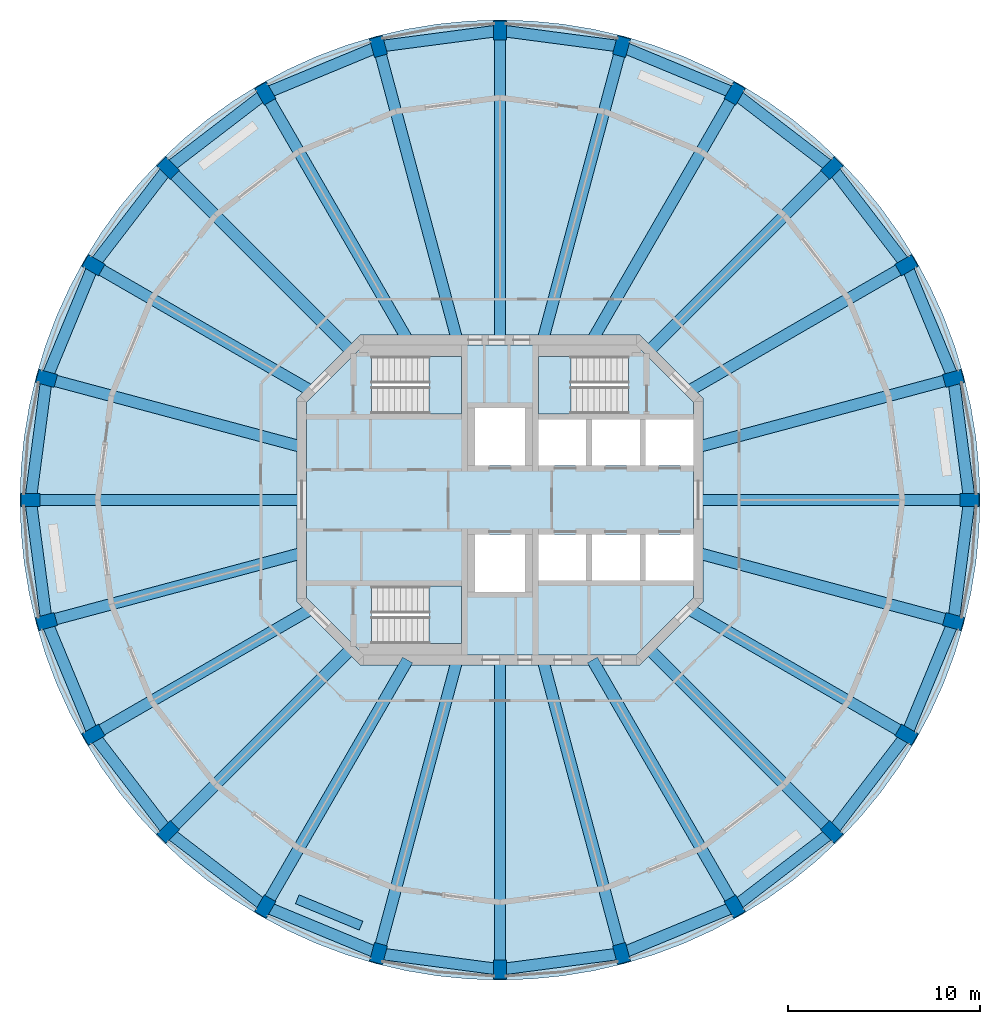
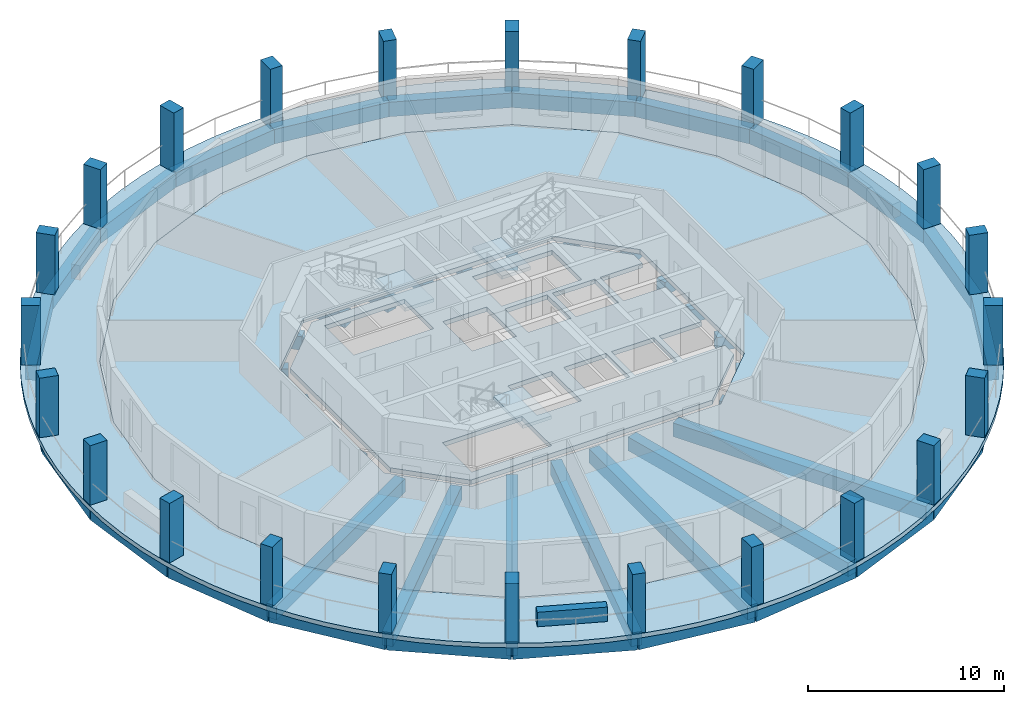
# One storey, part 1 of 8: 48 beams, 24 columns, 6 slabs, 1 wall, 3 elements without a shape of their own.
"""IFC4 building model written with IfcOpenShell, lengths in metres."""

from ifc_helpers import new_model, si_unit, direction, frame, frame_2d, origin, origin_2d, place, context, subcontext, project, spatial, polyline, rectangle, outline, extrude, material, layer, layer_set, material_profile, profile_set, type_object, element, aggregate, save


model = new_model("IFC4")

# Units and contexts
model_context = context("Model", 3, precision=1e-05, world=origin(), true_north=direction((0.0, 1.0)))
body_context = subcontext(model_context, "Body", "Model", "MODEL_VIEW")
ifc_project = project(units=[si_unit("LENGTHUNIT", "METRE"), si_unit("AREAUNIT", "SQUARE_METRE"), si_unit("VOLUMEUNIT", "CUBIC_METRE"), si_unit("PLANEANGLEUNIT", "RADIAN"), si_unit("MASSUNIT", "GRAM", prefix="KILO")], contexts=[model_context])

# Site, building, storey
site_placement = place(None, origin())
site = spatial("IfcSite", under=ifc_project, at=site_placement, CompositionType="ELEMENT")
building_placement = place(site_placement, origin())
building = spatial("IfcBuilding", under=site, at=building_placement, Name="Torre Triforio", CompositionType="ELEMENT")
storey_placement = place(building_placement, frame((0.0, 0.0, 257.5)))
storey = spatial("IfcBuildingStorey", under=building, at=storey_placement, Name="L59", CompositionType="ELEMENT", Elevation=257.5)

# Columns
ifc_material_1 = material(Name="Concrete C40", Category="concrete")
ifc_material_profile_1 = material_profile(ifc_material_1, rectangle(XDim=0.699951171875, YDim=1.0, at=origin_2d()), Name="RC 700x1000")
ifc_profile_set_1 = profile_set([ifc_material_profile_1], Name="Concrete C40")
column_type = type_object("IfcColumnType", Name="Pier RC 700x1000 C40", PredefinedType="COLUMN", material=ifc_profile_set_1)
for number, where, z_axis, x_axis, name in (
    (1, (24.5, 0.0, 0.0), (0.0, 0.0, 1.0), (0.0, 1.0, 0.0), "COL.R.L59.00"),
    (2, (23.665283203125, 6.341064453125, 0.0), (0.0, 0.0, 1.0), (-0.258819045103, 0.965925826289, 0.0), "COL.R.L59.01"),
    (3, (21.217529296875, 12.25, 0.0), (0.0, 0.0, 1.0), (-0.5, 0.866025403784, 0.0), "COL.R.L59.02"),
    (4, (17.32421875, 17.32421875, 0.0), (0.0, 0.0, 1.0), (-0.707106781187, 0.707106781187, 0.0), "COL.R.L59.03"),
    (5, (12.25, 21.217529296875, 0.0), (0.0, 0.0, 1.0), (-0.866025403784, 0.5, 0.0), "COL.R.L59.04"),
    (6, (6.341064453125, 23.665283203125, 0.0), (0.0, 0.0, 1.0), (-0.965925826289, 0.258819045103, 0.0), "COL.R.L59.05"),
    (7, (0.0, 24.5, 0.0), (0.0, 0.0, 1.0), (-1.0, 0.0, 0.0), "COL.R.L59.06"),
    (8, (-6.341064453125, 23.665283203125, 0.0), (0.0, 0.0, 1.0), (-0.965925826289, -0.258819045103, 0.0), "COL.R.L59.07"),
    (9, (-12.25, 21.217529296875, 0.0), (0.0, 0.0, 1.0), (-0.866025403784, -0.5, 0.0), "COL.R.L59.08"),
    (10, (-17.32421875, 17.32421875, 0.0), (0.0, 0.0, 1.0), (-0.707106781187, -0.707106781187, 0.0), "COL.R.L59.09"),
    (11, (-21.217529296875, 12.25, 0.0), (0.0, 0.0, 1.0), (-0.5, -0.866025403784, 0.0), "COL.R.L59.10"),
    (12, (-23.665283203125, 6.341064453125, 0.0), (0.0, 0.0, 1.0), (-0.258819045103, -0.965925826289, 0.0), "COL.R.L59.11"),
    (13, (-24.5, 0.0, 0.0), (0.0, 0.0, 1.0), (0.0, -1.0, 0.0), "COL.R.L59.12"),
    (14, (-23.665283203125, -6.341064453125, 0.0), (0.0, 0.0, 1.0), (0.258819045103, -0.965925826289, 0.0), "COL.R.L59.13"),
    (15, (-21.217529296875, -12.25, 0.0), (0.0, 0.0, 1.0), (0.5, -0.866025403784, 0.0), "COL.R.L59.14"),
    (16, (-17.32421875, -17.32421875, 0.0), (0.0, 0.0, 1.0), (0.707106781187, -0.707106781187, 0.0), "COL.R.L59.15"),
    (17, (-12.25, -21.217529296875, 0.0), (0.0, 0.0, 1.0), (0.866025403784, -0.5, 0.0), "COL.R.L59.16"),
    (18, (-6.341064453125, -23.665283203125, 0.0), (0.0, 0.0, 1.0), (0.965925826289, -0.258819045103, 0.0), "COL.R.L59.17"),
    (19, (0.0, -24.5, 0.0), (0.0, 0.0, 1.0), (1.0, 0.0, 0.0), "COL.R.L59.18"),
    (20, (6.341064453125, -23.665283203125, 0.0), (0.0, 0.0, 1.0), (0.965925826289, 0.258819045103, 0.0), "COL.R.L59.19"),
    (21, (12.25, -21.217529296875, 0.0), (0.0, 0.0, 1.0), (0.866025403784, 0.5, 0.0), "COL.R.L59.20"),
    (22, (17.32421875, -17.32421875, 0.0), (0.0, 0.0, 1.0), (0.707106781187, 0.707106781187, 0.0), "COL.R.L59.21"),
    (23, (21.217529296875, -12.25, 0.0), (0.0, 0.0, 1.0), (0.5, 0.866025403784, 0.0), "COL.R.L59.22"),
    (24, (23.665283203125, -6.341064453125, 0.0), (0.0, 0.0, 1.0), (0.258819045103, 0.965925826289, 0.0), "COL.R.L59.23"),
):
    element("IfcColumn", number, at=place(storey_placement, frame(where, z_axis=z_axis, x_axis=x_axis)), inside=storey, type_object=column_type, Name=name, PredefinedType="COLUMN", context=body_context, shape_type="SweptSolid", body=[
        extrude(rectangle(XDim=0.699951171875, YDim=1.0, at=origin_2d()), origin(), (0.0, 0.0, 1.0), 3.699951171875),
    ])

# Beams
ifc_material_profile_2 = material_profile(ifc_material_1, rectangle(XDim=0.60009765625, YDim=0.85009765625, at=origin_2d()), Name="RC 600x850")
ifc_profile_set_2 = profile_set([ifc_material_profile_2], Name="Concrete C40")
beam_type_1 = type_object("IfcBeamType", Name="Radial beam RC 600x850 C40", PredefinedType="BEAM", material=ifc_profile_set_2)
beam_1_placement = place(storey_placement, frame((10.35009765625, 0.0, -0.705078125), z_axis=(1.0, 0.0, 0.0), x_axis=(0.0, 1.0, 0.0)))
element("IfcBeam", 25, at=beam_1_placement, inside=storey, type_object=beam_type_1, Name="BM.R.L59.00", PredefinedType="BEAM", context=body_context, shape_type="SweptSolid", body=[
    extrude(rectangle(XDim=0.60009765625, YDim=0.85009765625, at=origin_2d()), origin(), (0.0, 0.0, 1.0), 14.14990234375),
])
beam_2_placement = place(storey_placement, frame((10.35009765625, 2.773193359375, -0.705078125), z_axis=(0.965924413872, 0.258824316257, 0.0), x_axis=(-0.258824316257, 0.965924413872, 0.0)))
element("IfcBeam", 26, at=beam_2_placement, inside=storey, type_object=beam_type_1, Name="BM.R.L59.01", PredefinedType="BEAM", context=body_context, shape_type="SweptSolid", body=[
    extrude(rectangle(XDim=0.60009765625, YDim=0.85009765625, at=origin_2d()), origin(), (0.0, 0.0, 1.0), 13.784912109375),
])
beam_3_placement = place(storey_placement, frame((9.860595703125, 5.693115234375, -0.705078125), z_axis=(0.866026853401, 0.499997489182, 0.0), x_axis=(-0.499997489182, 0.866026853401, 0.0)))
element("IfcBeam", 27, at=beam_3_placement, inside=storey, type_object=beam_type_1, Name="BM.R.L59.02", PredefinedType="BEAM", context=body_context, shape_type="SweptSolid", body=[
    extrude(rectangle(XDim=0.60009765625, YDim=0.85009765625, at=origin_2d()), origin(), (0.0, 0.0, 1.0), 13.11376953125),
])
beam_4_placement = place(storey_placement, frame((7.77685546875, 7.77685546875, -0.705078125), z_axis=(0.707106781187, 0.707106781187, 0.0), x_axis=(-0.707106781187, 0.707106781187, 0.0)))
element("IfcBeam", 28, at=beam_4_placement, inside=storey, type_object=beam_type_1, Name="BM.R.L59.03", PredefinedType="BEAM", context=body_context, shape_type="SweptSolid", body=[
    extrude(rectangle(XDim=0.60009765625, YDim=0.85009765625, at=origin_2d()), origin(), (0.0, 0.0, 1.0), 13.501953125),
])
beam_5_placement = place(storey_placement, frame((4.82080078125, 8.35009765625, -0.705078125), z_axis=(0.50000929273, 0.866020038558, 0.0), x_axis=(-0.866020038558, 0.50000929273, 0.0)))
element("IfcBeam", 29, at=beam_5_placement, inside=storey, type_object=beam_type_1, Name="BM.R.L59.04", PredefinedType="BEAM", context=body_context, shape_type="SweptSolid", body=[
    extrude(rectangle(XDim=0.60009765625, YDim=0.85009765625, at=origin_2d()), origin(), (0.0, 0.0, 1.0), 14.858154296875),
])
beam_6_placement = place(storey_placement, frame((2.2373046875, 8.35009765625, -0.705078125), z_axis=(0.258823056343, 0.965924751471, 0.0), x_axis=(-0.965924751471, 0.258823056343, 0.0)))
element("IfcBeam", 30, at=beam_6_placement, inside=storey, type_object=beam_type_1, Name="BM.R.L59.05", PredefinedType="BEAM", context=body_context, shape_type="SweptSolid", body=[
    extrude(rectangle(XDim=0.60009765625, YDim=0.85009765625, at=origin_2d()), origin(), (0.0, 0.0, 1.0), 15.85546875),
])
beam_7_placement = place(storey_placement, frame((0.0, 8.35009765625, -0.705078125), z_axis=(0.0, 1.0, 0.0), x_axis=(-1.0, 0.0, 0.0)))
element("IfcBeam", 31, at=beam_7_placement, inside=storey, type_object=beam_type_1, Name="BM.R.L59.06", PredefinedType="BEAM", context=body_context, shape_type="SweptSolid", body=[
    extrude(rectangle(XDim=0.60009765625, YDim=0.85009765625, at=origin_2d()), origin(), (0.0, 0.0, 1.0), 16.14990234375),
])
beam_8_placement = place(storey_placement, frame((-2.2373046875, 8.35009765625, -0.705078125), z_axis=(-0.258823056343, 0.965924751471, 0.0), x_axis=(-0.965924751471, -0.258823056343, 0.0)))
element("IfcBeam", 32, at=beam_8_placement, inside=storey, type_object=beam_type_1, Name="BM.R.L59.07", PredefinedType="BEAM", context=body_context, shape_type="SweptSolid", body=[
    extrude(rectangle(XDim=0.60009765625, YDim=0.85009765625, at=origin_2d()), origin(), (0.0, 0.0, 1.0), 15.85546875),
])
beam_9_placement = place(storey_placement, frame((-4.82080078125, 8.35009765625, -0.705078125), z_axis=(-0.50000929273, 0.866020038558, 0.0), x_axis=(-0.866020038558, -0.50000929273, 0.0)))
element("IfcBeam", 33, at=beam_9_placement, inside=storey, type_object=beam_type_1, Name="BM.R.L59.08", PredefinedType="BEAM", context=body_context, shape_type="SweptSolid", body=[
    extrude(rectangle(XDim=0.60009765625, YDim=0.85009765625, at=origin_2d()), origin(), (0.0, 0.0, 1.0), 14.858154296875),
])
beam_10_placement = place(storey_placement, frame((-7.77685546875, 7.77685546875, -0.705078125), z_axis=(-0.707106781187, 0.707106781187, 0.0), x_axis=(-0.707106781187, -0.707106781187, 0.0)))
element("IfcBeam", 34, at=beam_10_placement, inside=storey, type_object=beam_type_1, Name="BM.R.L59.09", PredefinedType="BEAM", context=body_context, shape_type="SweptSolid", body=[
    extrude(rectangle(XDim=0.60009765625, YDim=0.85009765625, at=origin_2d()), origin(), (0.0, 0.0, 1.0), 13.501953125),
])
beam_11_placement = place(storey_placement, frame((-9.860595703125, 5.693115234375, -0.705078125), z_axis=(-0.866026853401, 0.499997489182, 0.0), x_axis=(-0.499997489182, -0.866026853401, 0.0)))
element("IfcBeam", 35, at=beam_11_placement, inside=storey, type_object=beam_type_1, Name="BM.R.L59.10", PredefinedType="BEAM", context=body_context, shape_type="SweptSolid", body=[
    extrude(rectangle(XDim=0.60009765625, YDim=0.85009765625, at=origin_2d()), origin(), (0.0, 0.0, 1.0), 13.11376953125),
])
beam_12_placement = place(storey_placement, frame((-10.35009765625, 2.773193359375, -0.705078125), z_axis=(-0.965924413872, 0.258824316257, 0.0), x_axis=(-0.258824316257, -0.965924413872, 0.0)))
element("IfcBeam", 36, at=beam_12_placement, inside=storey, type_object=beam_type_1, Name="BM.R.L59.11", PredefinedType="BEAM", context=body_context, shape_type="SweptSolid", body=[
    extrude(rectangle(XDim=0.60009765625, YDim=0.85009765625, at=origin_2d()), origin(), (0.0, 0.0, 1.0), 13.784912109375),
])
beam_13_placement = place(storey_placement, frame((-10.35009765625, 0.0, -0.705078125), z_axis=(-1.0, 0.0, 0.0), x_axis=(0.0, -1.0, 0.0)))
element("IfcBeam", 37, at=beam_13_placement, inside=storey, type_object=beam_type_1, Name="BM.R.L59.12", PredefinedType="BEAM", context=body_context, shape_type="SweptSolid", body=[
    extrude(rectangle(XDim=0.60009765625, YDim=0.85009765625, at=origin_2d()), origin(), (0.0, 0.0, 1.0), 14.14990234375),
])
beam_14_placement = place(storey_placement, frame((-10.35009765625, -2.773193359375, -0.705078125), z_axis=(-0.965924413872, -0.258824316257, 0.0), x_axis=(0.258824316257, -0.965924413872, 0.0)))
element("IfcBeam", 38, at=beam_14_placement, inside=storey, type_object=beam_type_1, Name="BM.R.L59.13", PredefinedType="BEAM", context=body_context, shape_type="SweptSolid", body=[
    extrude(rectangle(XDim=0.60009765625, YDim=0.85009765625, at=origin_2d()), origin(), (0.0, 0.0, 1.0), 13.784912109375),
])
beam_15_placement = place(storey_placement, frame((-9.860595703125, -5.693115234375, -0.705078125), z_axis=(-0.866026853401, -0.499997489182, 0.0), x_axis=(0.499997489182, -0.866026853401, 0.0)))
element("IfcBeam", 39, at=beam_15_placement, inside=storey, type_object=beam_type_1, Name="BM.R.L59.14", PredefinedType="BEAM", context=body_context, shape_type="SweptSolid", body=[
    extrude(rectangle(XDim=0.60009765625, YDim=0.85009765625, at=origin_2d()), origin(), (0.0, 0.0, 1.0), 13.11376953125),
])
beam_16_placement = place(storey_placement, frame((-7.77685546875, -7.77685546875, -0.705078125), z_axis=(-0.707106781187, -0.707106781187, 0.0), x_axis=(0.707106781187, -0.707106781187, 0.0)))
element("IfcBeam", 40, at=beam_16_placement, inside=storey, type_object=beam_type_1, Name="BM.R.L59.15", PredefinedType="BEAM", context=body_context, shape_type="SweptSolid", body=[
    extrude(rectangle(XDim=0.60009765625, YDim=0.85009765625, at=origin_2d()), origin(), (0.0, 0.0, 1.0), 13.501953125),
])
beam_17_placement = place(storey_placement, frame((-4.82080078125, -8.35009765625, -0.705078125), z_axis=(-0.50000929273, -0.866020038558, 0.0), x_axis=(0.866020038558, -0.50000929273, 0.0)))
element("IfcBeam", 41, at=beam_17_placement, inside=storey, type_object=beam_type_1, Name="BM.R.L59.16", PredefinedType="BEAM", context=body_context, shape_type="SweptSolid", body=[
    extrude(rectangle(XDim=0.60009765625, YDim=0.85009765625, at=origin_2d()), origin(), (0.0, 0.0, 1.0), 14.858154296875),
])
beam_18_placement = place(storey_placement, frame((-2.2373046875, -8.35009765625, -0.705078125), z_axis=(-0.258823056343, -0.965924751471, 0.0), x_axis=(0.965924751471, -0.258823056343, 0.0)))
element("IfcBeam", 42, at=beam_18_placement, inside=storey, type_object=beam_type_1, Name="BM.R.L59.17", PredefinedType="BEAM", context=body_context, shape_type="SweptSolid", body=[
    extrude(rectangle(XDim=0.60009765625, YDim=0.85009765625, at=origin_2d()), origin(), (0.0, 0.0, 1.0), 15.85546875),
])
beam_19_placement = place(storey_placement, frame((0.0, -8.35009765625, -0.705078125), z_axis=(0.0, -1.0, 0.0), x_axis=(1.0, 0.0, 0.0)))
element("IfcBeam", 43, at=beam_19_placement, inside=storey, type_object=beam_type_1, Name="BM.R.L59.18", PredefinedType="BEAM", context=body_context, shape_type="SweptSolid", body=[
    extrude(rectangle(XDim=0.60009765625, YDim=0.85009765625, at=origin_2d()), origin(), (0.0, 0.0, 1.0), 16.14990234375),
])
beam_20_placement = place(storey_placement, frame((2.2373046875, -8.35009765625, -0.705078125), z_axis=(0.258823056343, -0.965924751471, 0.0), x_axis=(0.965924751471, 0.258823056343, 0.0)))
element("IfcBeam", 44, at=beam_20_placement, inside=storey, type_object=beam_type_1, Name="BM.R.L59.19", PredefinedType="BEAM", context=body_context, shape_type="SweptSolid", body=[
    extrude(rectangle(XDim=0.60009765625, YDim=0.85009765625, at=origin_2d()), origin(), (0.0, 0.0, 1.0), 15.85546875),
])
beam_21_placement = place(storey_placement, frame((4.82080078125, -8.35009765625, -0.705078125), z_axis=(0.50000929273, -0.866020038558, 0.0), x_axis=(0.866020038558, 0.50000929273, 0.0)))
element("IfcBeam", 45, at=beam_21_placement, inside=storey, type_object=beam_type_1, Name="BM.R.L59.20", PredefinedType="BEAM", context=body_context, shape_type="SweptSolid", body=[
    extrude(rectangle(XDim=0.60009765625, YDim=0.85009765625, at=origin_2d()), origin(), (0.0, 0.0, 1.0), 14.858154296875),
])
beam_22_placement = place(storey_placement, frame((7.77685546875, -7.77685546875, -0.705078125), z_axis=(0.707106781187, -0.707106781187, 0.0), x_axis=(0.707106781187, 0.707106781187, 0.0)))
element("IfcBeam", 46, at=beam_22_placement, inside=storey, type_object=beam_type_1, Name="BM.R.L59.21", PredefinedType="BEAM", context=body_context, shape_type="SweptSolid", body=[
    extrude(rectangle(XDim=0.60009765625, YDim=0.85009765625, at=origin_2d()), origin(), (0.0, 0.0, 1.0), 13.501953125),
])
beam_23_placement = place(storey_placement, frame((9.860595703125, -5.693115234375, -0.705078125), z_axis=(0.866026853401, -0.499997489182, 0.0), x_axis=(0.499997489182, 0.866026853401, 0.0)))
element("IfcBeam", 47, at=beam_23_placement, inside=storey, type_object=beam_type_1, Name="BM.R.L59.22", PredefinedType="BEAM", context=body_context, shape_type="SweptSolid", body=[
    extrude(rectangle(XDim=0.60009765625, YDim=0.85009765625, at=origin_2d()), origin(), (0.0, 0.0, 1.0), 13.11376953125),
])
beam_24_placement = place(storey_placement, frame((10.35009765625, -2.773193359375, -0.705078125), z_axis=(0.965924413872, -0.258824316257, 0.0), x_axis=(0.258824316257, 0.965924413872, 0.0)))
element("IfcBeam", 48, at=beam_24_placement, inside=storey, type_object=beam_type_1, Name="BM.R.L59.23", PredefinedType="BEAM", context=body_context, shape_type="SweptSolid", body=[
    extrude(rectangle(XDim=0.60009765625, YDim=0.85009765625, at=origin_2d()), origin(), (0.0, 0.0, 1.0), 13.784912109375),
])
ifc_material_profile_3 = material_profile(ifc_material_1, rectangle(XDim=0.60009765625, YDim=0.89990234375, at=origin_2d()), Name="RC 600x900")
ifc_profile_set_3 = profile_set([ifc_material_profile_3], Name="Concrete C40")
beam_type_2 = type_object("IfcBeamType", Name="Spandrel beam RC 600x900 C40", PredefinedType="SPANDREL", material=ifc_profile_set_3)
for number, where, z_axis, x_axis, name in (
    (49, (24.5, 0.0, -0.72998046875), (-0.130510796237, 0.991446888172, 0.0), (-0.991446888172, -0.130510796237, 0.0), "BM.S.L59.00"),
    (50, (23.665283203125, 6.341064453125, -0.72998046875), (-0.382709143949, 0.923868882006, 0.0), (-0.923868882006, -0.382709143949, 0.0), "BM.S.L59.01"),
    (51, (21.217529296875, 12.25, -0.72998046875), (-0.60873442055, 0.79337406388, 0.0), (-0.79337406388, -0.60873442055, 0.0), "BM.S.L59.02"),
    (52, (17.32421875, 17.32421875, -0.72998046875), (-0.79337406388, 0.60873442055, 0.0), (-0.60873442055, -0.79337406388, 0.0), "BM.S.L59.03"),
    (53, (12.25, 21.217529296875, -0.72998046875), (-0.923868882006, 0.382709143949, 0.0), (-0.382709143949, -0.923868882006, 0.0), "BM.S.L59.04"),
    (54, (6.341064453125, 23.665283203125, -0.72998046875), (-0.991446888172, 0.130510796237, 0.0), (-0.130510796237, -0.991446888172, 0.0), "BM.S.L59.05"),
    (55, (0.0, 24.5, -0.72998046875), (-0.991446888172, -0.130510796237, 0.0), (0.130510796237, -0.991446888172, 0.0), "BM.S.L59.06"),
    (56, (-6.341064453125, 23.665283203125, -0.72998046875), (-0.923868882006, -0.382709143949, 0.0), (0.382709143949, -0.923868882006, 0.0), "BM.S.L59.07"),
    (57, (-12.25, 21.217529296875, -0.72998046875), (-0.79337406388, -0.60873442055, 0.0), (0.60873442055, -0.79337406388, 0.0), "BM.S.L59.08"),
    (58, (-17.32421875, 17.32421875, -0.72998046875), (-0.60873442055, -0.79337406388, 0.0), (0.79337406388, -0.60873442055, 0.0), "BM.S.L59.09"),
    (59, (-21.217529296875, 12.25, -0.72998046875), (-0.382709143949, -0.923868882006, 0.0), (0.923868882006, -0.382709143949, 0.0), "BM.S.L59.10"),
    (60, (-23.665283203125, 6.341064453125, -0.72998046875), (-0.130510796237, -0.991446888172, 0.0), (0.991446888172, -0.130510796237, 0.0), "BM.S.L59.11"),
    (61, (-24.5, 0.0, -0.72998046875), (0.130510796237, -0.991446888172, 0.0), (0.991446888172, 0.130510796237, 0.0), "BM.S.L59.12"),
    (62, (-23.665283203125, -6.341064453125, -0.72998046875), (0.382709143949, -0.923868882006, 0.0), (0.923868882006, 0.382709143949, 0.0), "BM.S.L59.13"),
    (63, (-21.217529296875, -12.25, -0.72998046875), (0.60873442055, -0.79337406388, 0.0), (0.79337406388, 0.60873442055, 0.0), "BM.S.L59.14"),
    (64, (-17.32421875, -17.32421875, -0.72998046875), (0.79337406388, -0.60873442055, 0.0), (0.60873442055, 0.79337406388, 0.0), "BM.S.L59.15"),
    (65, (-12.25, -21.217529296875, -0.72998046875), (0.923868882006, -0.382709143949, 0.0), (0.382709143949, 0.923868882006, 0.0), "BM.S.L59.16"),
    (66, (-6.341064453125, -23.665283203125, -0.72998046875), (0.991446888172, -0.130510796237, 0.0), (0.130510796237, 0.991446888172, 0.0), "BM.S.L59.17"),
    (67, (0.0, -24.5, -0.72998046875), (0.991446888172, 0.130510796237, 0.0), (-0.130510796237, 0.991446888172, 0.0), "BM.S.L59.18"),
    (68, (6.341064453125, -23.665283203125, -0.72998046875), (0.923868882006, 0.382709143949, 0.0), (-0.382709143949, 0.923868882006, 0.0), "BM.S.L59.19"),
    (69, (12.25, -21.217529296875, -0.72998046875), (0.79337406388, 0.60873442055, 0.0), (-0.60873442055, 0.79337406388, 0.0), "BM.S.L59.20"),
    (70, (17.32421875, -17.32421875, -0.72998046875), (0.60873442055, 0.79337406388, 0.0), (-0.79337406388, 0.60873442055, 0.0), "BM.S.L59.21"),
    (71, (21.217529296875, -12.25, -0.72998046875), (0.382709143949, 0.923868882006, 0.0), (-0.923868882006, 0.382709143949, 0.0), "BM.S.L59.22"),
    (72, (23.665283203125, -6.341064453125, -0.72998046875), (0.130510796237, 0.991446888172, 0.0), (-0.991446888172, 0.130510796237, 0.0), "BM.S.L59.23"),
):
    element("IfcBeam", number, at=place(storey_placement, frame(where, z_axis=z_axis, x_axis=x_axis)), inside=storey, type_object=beam_type_2, Name=name, PredefinedType="SPANDREL", context=body_context, shape_type="SweptSolid", body=[
        extrude(rectangle(XDim=0.60009765625, YDim=0.89990234375, at=origin_2d()), origin(), (0.0, 0.0, 1.0), 6.395751953125),
    ])

# Slabs
ifc_layer_1 = layer(ifc_material_1, 0.280029296875)
ifc_layer_set_1 = layer_set([ifc_layer_1], Name="Concrete C40")
slab_type_1 = type_object("IfcSlabType", Name="Core floor slab 280 mm C40 REI 120", PredefinedType="FLOOR", material=ifc_layer_set_1)
slab_1_placement = place(storey_placement, frame((0.0, 0.0, -0.280029296875)))
element("IfcSlab", 73, at=slab_1_placement, inside=storey, type_object=slab_type_1, Name="Core floor slab", PredefinedType="FLOOR", context=body_context, shape_type="SweptSolid", body=[
    extrude(outline(polyline([(10.10009765625, -5.10009765625), (7.10009765625, -8.10009765625), (-7.10009765625, -8.10009765625), (-10.10009765625, -5.10009765625), (-10.10009765625, 5.10009765625), (-7.10009765625, 8.10009765625), (7.10009765625, 8.10009765625), (10.10009765625, 5.10009765625), (10.10009765625, 4.199951171875), (7.60009765625, 4.199951171875), (7.60009765625, 1.800048828125), (10.10009765625, 1.800048828125), (10.10009765625, -1.800048828125), (7.60009765625, -1.800048828125), (7.60009765625, -4.199951171875), (10.10009765625, -4.199951171875), (10.10009765625, -5.10009765625)]), holes=[polyline([(-6.696044921875, -4.5), (-6.696044921875, -7.5), (-2.0, -7.5), (-2.0, -4.5), (-6.696044921875, -4.5)]), polyline([(-1.300048828125, -1.800048828125), (-1.300048828125, -4.800048828125), (1.300048828125, -4.800048828125), (1.300048828125, -1.800048828125), (-1.300048828125, -1.800048828125)]), polyline([(2.0, -1.800048828125), (2.0, -4.199951171875), (4.5, -4.199951171875), (4.5, -1.800048828125), (2.0, -1.800048828125)]), polyline([(4.5, 4.199951171875), (2.0, 4.199951171875), (2.0, 1.800048828125), (4.5, 1.800048828125), (4.5, 4.199951171875)]), polyline([(1.300048828125, 4.800048828125), (-1.300048828125, 4.800048828125), (-1.300048828125, 1.800048828125), (1.300048828125, 1.800048828125), (1.300048828125, 4.800048828125)]), polyline([(-6.696044921875, 7.5), (-6.696044921875, 4.5), (-2.0, 4.5), (-2.0, 7.5), (-6.696044921875, 7.5)]), polyline([(7.300048828125, -1.800048828125), (4.800048828125, -1.800048828125), (4.800048828125, -4.199951171875), (7.300048828125, -4.199951171875), (7.300048828125, -1.800048828125)]), polyline([(4.800048828125, 4.199951171875), (4.800048828125, 1.800048828125), (7.300048828125, 1.800048828125), (7.300048828125, 4.199951171875), (4.800048828125, 4.199951171875)]), polyline([(6.696044921875, 7.5), (2.0, 7.5), (2.0, 4.5), (6.696044921875, 4.5), (6.696044921875, 7.5)])]), origin(), (0.0, 0.0, 1.0), 0.280029296875),
])
ifc_layer_2 = layer(ifc_material_1, 0.280029296875)
ifc_layer_set_2 = layer_set([ifc_layer_2], Name="Concrete C40")
slab_type_2 = type_object("IfcSlabType", Name="Floor slab 280 C40", PredefinedType="FLOOR", material=ifc_layer_set_2)
slab_2_placement = place(storey_placement, frame((0.0, 0.0, -0.280029296875)))
element("IfcSlab", 74, at=slab_2_placement, inside=storey, type_object=slab_type_2, Name="SL.L59", PredefinedType="FLOOR", context=body_context, shape_type="SweptSolid", body=[
    extrude(outline(polyline([(18.1865234375, -10.5), (20.284423828125, -5.435302734375), (21.0, 0.0), (20.284423828125, 5.435302734375), (18.1865234375, 10.5), (14.84912109375, 14.84912109375), (10.5, 18.1865234375), (5.435302734375, 20.284423828125), (0.0, 21.0), (-5.435302734375, 20.284423828125), (-10.5, 18.1865234375), (-14.84912109375, 14.84912109375), (-18.1865234375, 10.5), (-20.284423828125, 5.435302734375), (-21.0, 0.0), (-20.284423828125, -5.435302734375), (-18.1865234375, -10.5), (-14.84912109375, -14.84912109375), (-10.5, -18.1865234375), (-5.435302734375, -20.284423828125), (0.0, -21.0), (5.435302734375, -20.284423828125), (10.5, -18.1865234375), (14.84912109375, -14.84912109375), (18.1865234375, -10.5)]), holes=[polyline([(10.60009765625, 5.30712890625), (10.60009765625, -5.30712890625), (7.30712890625, -8.60009765625), (-7.30712890625, -8.60009765625), (-10.60009765625, -5.30712890625), (-10.60009765625, 5.30712890625), (-7.30712890625, 8.60009765625), (7.30712890625, 8.60009765625), (10.60009765625, 5.30712890625)])]), origin(), (0.0, 0.0, 1.0), 0.280029296875),
])
ifc_layer_3 = layer(ifc_material_1, 0.280029296875)
ifc_layer_set_3 = layer_set([ifc_layer_3], Name="Concrete C40")
slab_type_3 = type_object("IfcSlabType", Name="Loggia slab 280 C40", PredefinedType="FLOOR", material=ifc_layer_set_3)
slab_3_placement = place(storey_placement, frame((0.0, 0.0, -0.280029296875)))
element("IfcSlab", 75, at=slab_3_placement, inside=storey, type_object=slab_type_3, Name="SL.L59.LG", PredefinedType="FLOOR", context=body_context, shape_type="SweptSolid", body=[
    extrude(outline(polyline([(24.996337890625, -1.638427734375), (25.050048828125, 0.0), (24.996337890625, 1.638427734375), (24.835693359375, 3.269775390625), (24.568603515625, 4.886962890625), (24.196533203125, 6.4833984375), (23.720703125, 8.052001953125), (23.14306640625, 9.586181640625), (22.466552734375, 11.079345703125), (21.69384765625, 12.52490234375), (20.828369140625, 13.9169921875), (19.87353515625, 15.24951171875), (18.83349609375, 16.5166015625), (17.713134765625, 17.713134765625), (16.5166015625, 18.83349609375), (15.24951171875, 19.87353515625), (13.9169921875, 20.828369140625), (12.52490234375, 21.69384765625), (11.079345703125, 22.466552734375), (9.586181640625, 23.14306640625), (8.052001953125, 23.720703125), (6.4833984375, 24.196533203125), (4.886962890625, 24.568603515625), (3.269775390625, 24.835693359375), (1.638427734375, 24.996337890625), (0.0, 25.050048828125), (-1.638427734375, 24.996337890625), (-3.269775390625, 24.835693359375), (-4.886962890625, 24.568603515625), (-6.4833984375, 24.196533203125), (-8.052001953125, 23.720703125), (-9.586181640625, 23.14306640625), (-11.079345703125, 22.466552734375), (-12.52490234375, 21.69384765625), (-13.9169921875, 20.828369140625), (-15.24951171875, 19.87353515625), (-16.5166015625, 18.83349609375), (-17.713134765625, 17.713134765625), (-18.83349609375, 16.5166015625), (-19.87353515625, 15.24951171875), (-20.828369140625, 13.9169921875), (-21.69384765625, 12.52490234375), (-22.466552734375, 11.079345703125), (-23.14306640625, 9.586181640625), (-23.720703125, 8.052001953125), (-24.196533203125, 6.4833984375), (-24.568603515625, 4.886962890625), (-24.835693359375, 3.269775390625), (-24.996337890625, 1.638427734375), (-25.050048828125, 0.0), (-24.996337890625, -1.638427734375), (-24.835693359375, -3.269775390625), (-24.568603515625, -4.886962890625), (-24.196533203125, -6.4833984375), (-23.720703125, -8.052001953125), (-23.14306640625, -9.586181640625), (-22.466552734375, -11.079345703125), (-21.69384765625, -12.52490234375), (-20.828369140625, -13.9169921875), (-19.87353515625, -15.24951171875), (-18.83349609375, -16.5166015625), (-17.713134765625, -17.713134765625), (-16.5166015625, -18.83349609375), (-15.24951171875, -19.87353515625), (-13.9169921875, -20.828369140625), (-12.52490234375, -21.69384765625), (-11.079345703125, -22.466552734375), (-9.586181640625, -23.14306640625), (-8.052001953125, -23.720703125), (-6.4833984375, -24.196533203125), (-4.886962890625, -24.568603515625), (-3.269775390625, -24.835693359375), (-1.638427734375, -24.996337890625), (0.0, -25.050048828125), (1.638427734375, -24.996337890625), (3.269775390625, -24.835693359375), (4.886962890625, -24.568603515625), (6.4833984375, -24.196533203125), (8.052001953125, -23.720703125), (9.586181640625, -23.14306640625), (11.079345703125, -22.466552734375), (12.52490234375, -21.69384765625), (13.9169921875, -20.828369140625), (15.24951171875, -19.87353515625), (16.5166015625, -18.83349609375), (17.713134765625, -17.713134765625), (18.83349609375, -16.5166015625), (19.87353515625, -15.24951171875), (20.828369140625, -13.9169921875), (21.69384765625, -12.52490234375), (22.466552734375, -11.079345703125), (23.14306640625, -9.586181640625), (23.720703125, -8.052001953125), (24.196533203125, -6.4833984375), (24.568603515625, -4.886962890625), (24.835693359375, -3.269775390625), (24.996337890625, -1.638427734375)]), holes=[polyline([(20.284423828125, 5.435302734375), (21.0, 0.0), (20.284423828125, -5.435302734375), (18.1865234375, -10.5), (14.84912109375, -14.84912109375), (10.5, -18.1865234375), (5.435302734375, -20.284423828125), (0.0, -21.0), (-5.435302734375, -20.284423828125), (-10.5, -18.1865234375), (-14.84912109375, -14.84912109375), (-18.1865234375, -10.5), (-20.284423828125, -5.435302734375), (-21.0, 0.0), (-20.284423828125, 5.435302734375), (-18.1865234375, 10.5), (-14.84912109375, 14.84912109375), (-10.5, 18.1865234375), (-5.435302734375, 20.284423828125), (0.0, 21.0), (5.435302734375, 20.284423828125), (10.5, 18.1865234375), (14.84912109375, 14.84912109375), (18.1865234375, 10.5), (20.284423828125, 5.435302734375)])]), origin(), (0.0, 0.0, 1.0), 0.280029296875),
])

# Stair, slab
stair_type = type_object("IfcStairType", Name="STAIR HALF-TURN", PredefinedType="HALF_TURN_STAIR", material=ifc_material_1)
stair_1_placement = place(storey_placement, origin())
stair_1 = element("IfcStair", 76, at=stair_1_placement, inside=storey, type_object=stair_type, Name="Exit stair 1", PredefinedType="HALF_TURN_STAIR")
ifc_layer_4 = layer(ifc_material_1, 0.199951171875)
ifc_layer_set_4 = layer_set([ifc_layer_4], Name="Concrete C40")
slab_type_4 = type_object("IfcSlabType", Name="STAIR LANDING 200", PredefinedType="LANDING", material=ifc_layer_set_4)
slab_4_placement = place(storey_placement, frame((0.0, 0.0, 1.64990234375)))
slab_4 = element("IfcSlab", 77, at=slab_4_placement, type_object=slab_type_4, Name="ST1 landing 1", PredefinedType="LANDING", context=body_context, shape_type="SweptSolid", body=[
    extrude(outline(polyline([(-2.0, 4.5), (-2.0, 7.5), (-3.699951171875, 7.5), (-3.699951171875, 4.5), (-2.0, 4.5)])), origin(), (0.0, 0.0, 1.0), 0.2001953125),
])
aggregate(stair_1, [slab_4])

stair_2_placement = place(storey_placement, origin())
stair_2 = element("IfcStair", 78, at=stair_2_placement, inside=storey, type_object=stair_type, Name="Exit stair 2", PredefinedType="HALF_TURN_STAIR")
slab_5_placement = place(storey_placement, frame((0.0, 0.0, 1.64990234375)))
slab_5 = element("IfcSlab", 79, at=slab_5_placement, type_object=slab_type_4, Name="ST2 landing 1", PredefinedType="LANDING", context=body_context, shape_type="SweptSolid", body=[
    extrude(outline(polyline([(3.699951171875, 4.5), (3.699951171875, 7.5), (2.0, 7.5), (2.0, 4.5), (3.699951171875, 4.5)])), origin(), (0.0, 0.0, 1.0), 0.2001953125),
])
aggregate(stair_2, [slab_5])

stair_3_placement = place(storey_placement, origin())
stair_3 = element("IfcStair", 80, at=stair_3_placement, inside=storey, type_object=stair_type, Name="Exit stair 3", PredefinedType="HALF_TURN_STAIR")
slab_6_placement = place(storey_placement, frame((0.0, 0.0, 1.64990234375)))
slab_6 = element("IfcSlab", 81, at=slab_6_placement, type_object=slab_type_4, Name="ST3 landing 1", PredefinedType="LANDING", context=body_context, shape_type="SweptSolid", body=[
    extrude(outline(polyline([(-2.0, -7.5), (-2.0, -4.5), (-3.699951171875, -4.5), (-3.699951171875, -7.5), (-2.0, -7.5)])), origin(), (0.0, 0.0, 1.0), 0.2001953125),
])
aggregate(stair_3, [slab_6])

# Wall
ifc_material_2 = material(Name="Limestone cladding", Category="masonry")
ifc_layer_5 = layer(ifc_material_2, 0.10009765625)
ifc_layer_6 = layer(ifc_material_1, 0.39990234375)
ifc_layer_set_5 = layer_set([ifc_layer_5, ifc_layer_6], Name="Limestone cladding / Concrete C40")
wall_type = type_object("IfcWallType", Name="Planter wall 500", PredefinedType="PARAPET", material=ifc_layer_set_5)
wall_placement = place(storey_placement, frame((-10.57958984375, -20.837646484375, 0.0), z_axis=(0.0, 0.0, 1.0), x_axis=(0.923909393783, -0.382611332921, 0.0)))
element("IfcWall", 82, at=wall_placement, inside=storey, type_object=wall_type, Name="Planter L59 bay 17", PredefinedType="PARAPET", context=body_context, shape_type="SweptSolid", body=[
    extrude(rectangle(XDim=3.60009765625, YDim=0.5, at=frame_2d((1.800048828125, 0.0))), origin(), (0.0, 0.0, 1.0), 0.89990234375),
])

save(model, "model.ifc")
